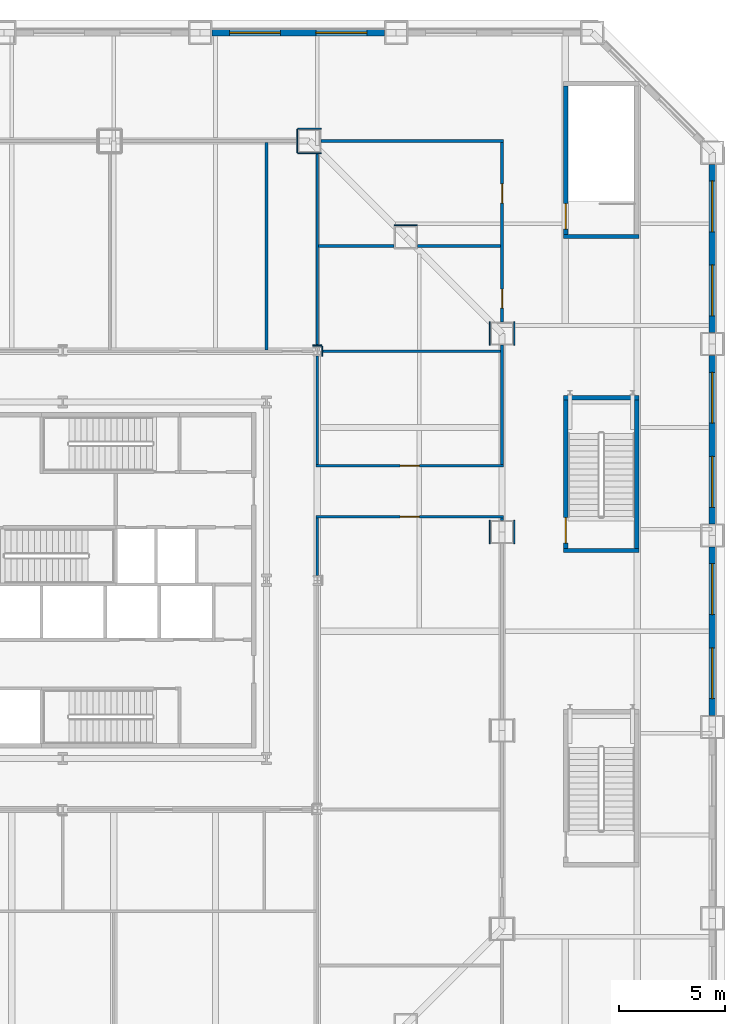
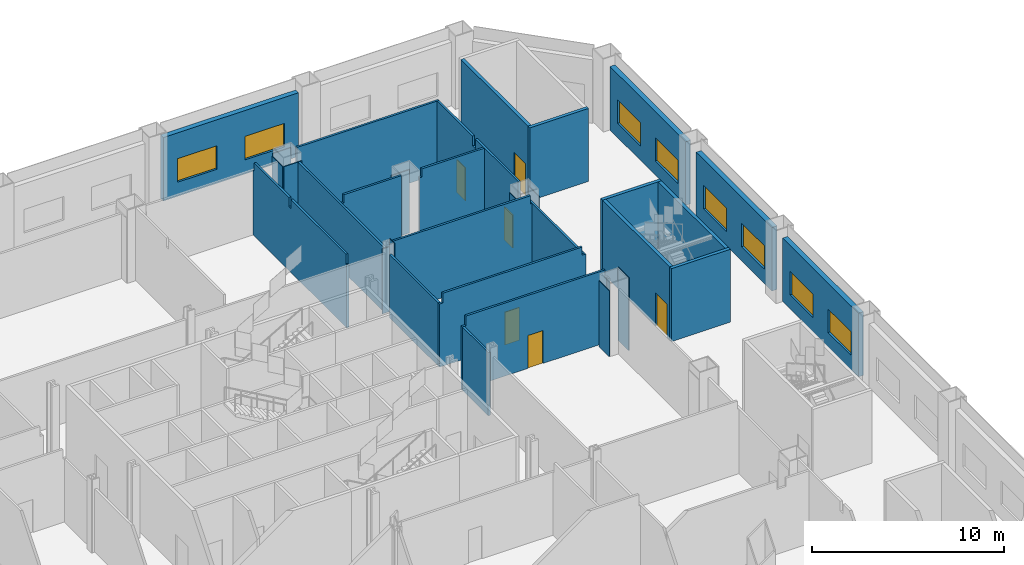
# One storey, part 15 of 22: 33 walls, 8 windows, 6 doors, 14 openings.
"""IFC4 building model written with IfcOpenShell, lengths in metres."""

from ifc_helpers import new_model, si_unit, direction, frame, frame_2d, origin, place, context, subcontext, project, spatial, polyline, rectangle, outline, extrude, material, layer, layer_set, type_object, element, fill, save


model = new_model("IFC4")

# Units and contexts
model_context = context("Model", 3, precision=1e-05, world=origin(), true_north=direction((0.0, 1.0)))
body_context = subcontext(model_context, "Body", "Model", "MODEL_VIEW")
ifc_project = project(units=[si_unit("LENGTHUNIT", "METRE"), si_unit("AREAUNIT", "SQUARE_METRE"), si_unit("VOLUMEUNIT", "CUBIC_METRE"), si_unit("PLANEANGLEUNIT", "RADIAN"), si_unit("MASSUNIT", "GRAM", prefix="KILO")], contexts=[model_context])

# Site, building, storey
site_placement = place(None, origin())
site = spatial("IfcSite", under=ifc_project, at=site_placement, CompositionType="ELEMENT")
building_placement = place(site_placement, origin())
building = spatial("IfcBuilding", under=site, at=building_placement, Name="Cairn Pilgrim Tower", CompositionType="ELEMENT")
storey_placement = place(building_placement, frame((0.0, 0.0, 35.39990234375)))
storey = spatial("IfcBuildingStorey", under=building, at=storey_placement, Name="L06", CompositionType="ELEMENT", Elevation=35.39990234375)

# Walls
ifc_material_1 = material(Name="Gypsum partition")
ifc_layer_1 = layer(ifc_material_1, 0.125)
ifc_layer_set_1 = layer_set([ifc_layer_1], Name="PARTITION 125 DRYWALL EI 60")
wall_type_1 = type_object("IfcWallType", Name="PARTITION 125 DRYWALL EI 60", PredefinedType="PARTITIONING", material=ifc_layer_set_1)
wall_1_placement = place(storey_placement, frame((19.199951171875, 2.636962890625, 0.0), z_axis=(0.0, 0.0, 1.0), x_axis=(0.0, 1.0, 0.0)))
element("IfcWall", 1, at=wall_1_placement, inside=storey, type_object=wall_type_1, Name="PARTITION W040", PredefinedType="PARTITIONING", context=body_context, shape_type="SweptSolid", body=[
    extrude(rectangle(XDim=2.700439453125, YDim=0.125, at=frame_2d((1.35009765625, 0.0))), origin(), (0.0, 0.0, 1.0), 4.030029296875),
])
wall_2_placement = place(storey_placement, frame((27.89990234375, 5.2255859375, 0.0), z_axis=(0.0, 0.0, 1.0), x_axis=(0.0, 1.0, 0.0)))
element("IfcWall", 2, at=wall_2_placement, inside=storey, type_object=wall_type_1, Name="PARTITION W044", PredefinedType="PARTITIONING", context=body_context, shape_type="SweptSolid", body=[
    extrude(rectangle(XDim=0.11181640625, YDim=0.125, at=frame_2d((0.055908203125, 0.0))), origin(), (0.0, 0.0, 1.0), 4.130126953125),
])

# Wall, opening, door
wall_3_placement = place(storey_placement, frame((19.137451171875, 5.39990234375, 0.0), z_axis=(0.0, 0.0, 1.0), x_axis=(1.0, 0.0, 0.0)))
wall_3 = element("IfcWall", 3, at=wall_3_placement, inside=storey, type_object=wall_type_1, Name="PARTITION W046", PredefinedType="PARTITIONING", context=body_context, shape_type="SweptSolid", body=[
    extrude(outline(polyline([(0.0, 0.0), (8.824951171875, 0.0), (8.824951171875, 4.130126953125), (8.612548828125, 4.130126953125), (8.610595703125, 4.650146484375), (0.21240234375, 4.650146484375), (0.21044921875, 4.030029296875), (0.0, 4.030029296875), (0.0, 0.0)])), frame((0.0, 0.0625, 0.0), z_axis=(0.0, -1.0, 0.0), x_axis=(1.0, 0.0, 0.0)), (0.0, 0.0, 1.0), 0.125),
])
opening_1_placement = place(wall_3_placement, frame((3.96240234375, 0.0, 0.0)))
opening_1 = element("IfcOpeningElement", 4, at=opening_1_placement, cuts=wall_3, Name="Opening 0618", PredefinedType="OPENING", context=body_context, shape_type="SweptSolid", body=[
    extrude(rectangle(XDim=0.89990234375, YDim=2.10009765625, at=frame_2d((0.449951171875, 1.050048828125))), frame((0.0, 0.072509765625, 0.0), z_axis=(0.0, -1.0, 0.0), x_axis=(1.0, 0.0, 0.0)), (0.0, 0.0, 1.0), 0.14501953125),
])
ifc_material_2 = material(Name="Timber door leaf", Category="wood")
door_type_1 = type_object("IfcDoorType", Name="ROOM DOOR 900x2100 FD30S", OperationType="NOTDEFINED", PredefinedType="DOOR", material=ifc_material_2)
door_1_placement = place(opening_1_placement, origin())
door_1 = element("IfcDoor", 5, at=door_1_placement, inside=storey, type_object=door_type_1, Name="DOOR 0618", OperationType="SINGLE_SWING_RIGHT", OverallHeight=2.10009765625, OverallWidth=0.89990234375, PredefinedType="DOOR", context=body_context, shape_type="SweptSolid", body=[
    extrude(rectangle(XDim=0.89990234375, YDim=2.10009765625, at=frame_2d((0.449951171875, 1.050048828125))), frame((0.0, 0.02490234375, 0.0), z_axis=(0.0, -1.0, 0.0), x_axis=(1.0, 0.0, 0.0)), (0.0, 0.0, 1.0), 0.050048828125),
])
fill(opening_1, door_1)

wall_4_placement = place(storey_placement, frame((19.137451171875, 7.800048828125, 0.0), z_axis=(0.0, 0.0, 1.0), x_axis=(1.0, 0.0, 0.0)))
wall_4 = element("IfcWall", 6, at=wall_4_placement, inside=storey, type_object=wall_type_1, Name="PARTITION W048", PredefinedType="PARTITIONING", context=body_context, shape_type="SweptSolid", body=[
    extrude(outline(polyline([(0.0, 0.0), (8.824951171875, 0.0), (8.824951171875, 4.130126953125), (8.612548828125, 4.130126953125), (8.610595703125, 4.650146484375), (0.21240234375, 4.650146484375), (0.21044921875, 4.030029296875), (0.0, 4.030029296875), (0.0, 0.0)])), frame((0.0, 0.0625, 0.0), z_axis=(0.0, -1.0, 0.0), x_axis=(1.0, 0.0, 0.0)), (0.0, 0.0, 1.0), 0.125),
])
opening_2_placement = place(wall_4_placement, frame((3.96240234375, 0.0, 0.0)))
opening_2 = element("IfcOpeningElement", 7, at=opening_2_placement, cuts=wall_4, Name="Opening 0617", PredefinedType="OPENING", context=body_context, shape_type="SweptSolid", body=[
    extrude(rectangle(XDim=0.89990234375, YDim=2.10009765625, at=frame_2d((0.449951171875, 1.050048828125))), frame((0.0, 0.072509765625, 0.0), z_axis=(0.0, -1.0, 0.0), x_axis=(1.0, 0.0, 0.0)), (0.0, 0.0, 1.0), 0.14501953125),
])
door_2_placement = place(opening_2_placement, frame((0.89990234375, 0.0, 0.0), z_axis=(0.0, 0.0, 1.0), x_axis=(-1.0, 0.0, 0.0)))
door_2 = element("IfcDoor", 8, at=door_2_placement, inside=storey, type_object=door_type_1, Name="DOOR 0617", OperationType="SINGLE_SWING_LEFT", OverallHeight=2.10009765625, OverallWidth=0.89990234375, PredefinedType="DOOR", context=body_context, shape_type="SweptSolid", body=[
    extrude(rectangle(XDim=0.89990234375, YDim=2.10009765625, at=frame_2d((0.449951171875, 1.050048828125))), frame((0.0, 0.02490234375, 0.0), z_axis=(0.0, -1.0, 0.0), x_axis=(1.0, 0.0, 0.0)), (0.0, 0.0, 1.0), 0.050048828125),
])
fill(opening_2, door_2)

# Walls
wall_5_placement = place(storey_placement, frame((19.199951171875, 7.862548828125, 0.0), z_axis=(0.0, 0.0, 1.0), x_axis=(0.0, 1.0, 0.0)))
element("IfcWall", 9, at=wall_5_placement, inside=storey, type_object=wall_type_1, Name="PARTITION W052", PredefinedType="PARTITIONING", context=body_context, shape_type="SweptSolid", body=[
    extrude(rectangle(XDim=5.100341796875, YDim=0.125, at=frame_2d((2.55029296875, 0.0))), origin(), (0.0, 0.0, 1.0), 4.030029296875),
])
wall_6_placement = place(storey_placement, frame((27.89990234375, 7.862548828125, 0.0), z_axis=(0.0, 0.0, 1.0), x_axis=(0.0, 1.0, 0.0)))
element("IfcWall", 10, at=wall_6_placement, inside=storey, type_object=wall_type_1, Name="PARTITION W053", PredefinedType="PARTITIONING", context=body_context, shape_type="SweptSolid", body=[
    extrude(rectangle(XDim=5.61474609375, YDim=0.125, at=frame_2d((2.807373046875, 0.0))), origin(), (0.0, 0.0, 1.0), 4.130126953125),
])
wall_7_placement = place(storey_placement, frame((19.412109375, 13.199951171875, 0.0), z_axis=(0.0, 0.0, 1.0), x_axis=(1.0, 0.0, 0.0)))
element("IfcWall", 11, at=wall_7_placement, inside=storey, type_object=wall_type_1, Name="PARTITION W058", PredefinedType="PARTITIONING", context=body_context, shape_type="SweptSolid", body=[
    extrude(outline(polyline([(0.0, 0.0), (8.42529296875, 0.0), (8.425537109375, 4.130126953125), (8.337890625, 4.130126953125), (8.3359375, 4.650146484375), (0.0, 4.650146484375), (0.0, 0.0)])), frame((0.0, 0.0625, 0.0), z_axis=(0.0, -1.0, 0.0), x_axis=(1.0, 0.0, 0.0)), (0.0, 0.0, 1.0), 0.125),
])
wall_8_placement = place(storey_placement, frame((16.800048828125, 13.262451171875, 0.0), z_axis=(0.0, 0.0, 1.0), x_axis=(0.0, 1.0, 0.0)))
element("IfcWall", 12, at=wall_8_placement, inside=storey, type_object=wall_type_1, Name="PARTITION W060", PredefinedType="PARTITIONING", context=body_context, shape_type="SweptSolid", body=[
    extrude(outline(polyline([(0.0, 0.0), (9.775146484375, 0.0), (9.77490234375, 4.130126953125), (9.6875, 4.130126953125), (9.685546875, 4.650146484375), (6.04248046875, 4.650146484375), (6.04052734375, 4.080078125), (5.83251953125, 4.080078125), (5.83056640625, 4.650146484375), (0.08740234375, 4.650146484375), (0.08544921875, 4.030029296875), (0.0, 4.030029296875), (0.0, 0.0)])), frame((0.0, 0.0625, 0.0), z_axis=(0.0, -1.0, 0.0), x_axis=(1.0, 0.0, 0.0)), (0.0, 0.0, 1.0), 0.125),
])
wall_9_placement = place(storey_placement, frame((19.199951171875, 13.43701171875, 0.0), z_axis=(0.0, 0.0, 1.0), x_axis=(0.0, 1.0, 0.0)))
element("IfcWall", 13, at=wall_9_placement, inside=storey, type_object=wall_type_1, Name="PARTITION W062", PredefinedType="PARTITIONING", context=body_context, shape_type="SweptSolid", body=[
    extrude(rectangle(XDim=9.113037109375, YDim=0.125, at=frame_2d((4.556640625, 0.0))), origin(), (0.0, 0.0, 1.0), 4.130126953125),
])

# Wall, openings, doors
wall_10_placement = place(storey_placement, frame((27.89990234375, 14.5771484375, 0.0), z_axis=(0.0, 0.0, 1.0), x_axis=(0.0, 1.0, 0.0)))
wall_10 = element("IfcWall", 14, at=wall_10_placement, inside=storey, type_object=wall_type_1, Name="PARTITION W063", PredefinedType="PARTITIONING", context=body_context, shape_type="SweptSolid", body=[
    extrude(outline(polyline([(0.0, 0.0), (8.46044921875, 0.0), (8.460205078125, 4.650146484375), (4.772705078125, 4.650146484375), (4.770751953125, 4.030029296875), (4.472900390625, 4.030029296875), (4.470703125, 4.650146484375), (0.0, 4.650146484375), (0.0, 0.0)])), frame((0.0, 0.0625, 0.0), z_axis=(0.0, -1.0, 0.0), x_axis=(1.0, 0.0, 0.0)), (0.0, 0.0, 1.0), 0.125),
])
opening_3_placement = place(wall_10_placement, frame((0.647705078125, 0.0, 0.0)))
opening_3 = element("IfcOpeningElement", 15, at=opening_3_placement, cuts=wall_10, Name="Opening 0619", PredefinedType="OPENING", context=body_context, shape_type="SweptSolid", body=[
    extrude(rectangle(XDim=0.89990234375, YDim=2.10009765625, at=frame_2d((0.449951171875, 1.050048828125))), frame((0.0, 0.072509765625, 0.0), z_axis=(0.0, -1.0, 0.0), x_axis=(1.0, 0.0, 0.0)), (0.0, 0.0, 1.0), 0.14501953125),
])
opening_4_placement = place(wall_10_placement, frame((5.597900390625, 0.0, 0.0)))
opening_4 = element("IfcOpeningElement", 16, at=opening_4_placement, cuts=wall_10, Name="Opening 0620", PredefinedType="OPENING", context=body_context, shape_type="SweptSolid", body=[
    extrude(rectangle(XDim=0.89990234375, YDim=2.10009765625, at=frame_2d((0.449951171875, 1.050048828125))), frame((0.0, 0.072509765625, 0.0), z_axis=(0.0, -1.0, 0.0), x_axis=(1.0, 0.0, 0.0)), (0.0, 0.0, 1.0), 0.14501953125),
])
door_3_placement = place(opening_3_placement, frame((0.89990234375, 0.0, 0.0), z_axis=(0.0, 0.0, 1.0), x_axis=(-1.0, 0.0, 0.0)))
door_3 = element("IfcDoor", 17, at=door_3_placement, inside=storey, type_object=door_type_1, Name="DOOR 0619", OperationType="SINGLE_SWING_LEFT", OverallHeight=2.10009765625, OverallWidth=0.89990234375, PredefinedType="DOOR", context=body_context, shape_type="SweptSolid", body=[
    extrude(rectangle(XDim=0.89990234375, YDim=2.10009765625, at=frame_2d((0.449951171875, 1.050048828125))), frame((0.0, 0.02490234375, 0.0), z_axis=(0.0, -1.0, 0.0), x_axis=(1.0, 0.0, 0.0)), (0.0, 0.0, 1.0), 0.050048828125),
])
fill(opening_3, door_3)
door_4_placement = place(opening_4_placement, frame((0.89990234375, 0.0, 0.0), z_axis=(0.0, 0.0, 1.0), x_axis=(-1.0, 0.0, 0.0)))
door_4 = element("IfcDoor", 18, at=door_4_placement, inside=storey, type_object=door_type_1, Name="DOOR 0620", OperationType="SINGLE_SWING_RIGHT", OverallHeight=2.10009765625, OverallWidth=0.89990234375, PredefinedType="DOOR", context=body_context, shape_type="SweptSolid", body=[
    extrude(rectangle(XDim=0.89990234375, YDim=2.10009765625, at=frame_2d((0.449951171875, 1.050048828125))), frame((0.0, 0.02490234375, 0.0), z_axis=(0.0, -1.0, 0.0), x_axis=(1.0, 0.0, 0.0)), (0.0, 0.0, 1.0), 0.050048828125),
])
fill(opening_4, door_4)

# Walls
wall_11_placement = place(storey_placement, frame((19.262451171875, 18.14990234375, 0.0), z_axis=(0.0, 0.0, 1.0), x_axis=(1.0, 0.0, 0.0)))
element("IfcWall", 19, at=wall_11_placement, inside=storey, type_object=wall_type_1, Name="PARTITION W064", PredefinedType="PARTITIONING", context=body_context, shape_type="SweptSolid", body=[
    extrude(outline(polyline([(0.0, 0.0), (3.55126953125, 0.0), (3.551025390625, 4.650146484375), (0.08740234375, 4.650146484375), (0.08544921875, 4.130126953125), (0.0, 4.130126953125), (0.0, 0.0)])), frame((0.0, 0.0625, 0.0), z_axis=(0.0, -1.0, 0.0), x_axis=(1.0, 0.0, 0.0)), (0.0, 0.0, 1.0), 0.125),
])
wall_12_placement = place(storey_placement, frame((23.91357421875, 18.14990234375, 0.0), z_axis=(0.0, 0.0, 1.0), x_axis=(1.0, 0.0, 0.0)))
element("IfcWall", 20, at=wall_12_placement, inside=storey, type_object=wall_type_1, Name="PARTITION W065", PredefinedType="PARTITIONING", context=body_context, shape_type="SweptSolid", body=[
    extrude(outline(polyline([(0.0, 0.0), (3.923828125, 0.0), (3.923828125, 4.650146484375), (0.13818359375, 4.650146484375), (0.13623046875, 4.130126953125), (0.0, 4.130126953125), (0.0, 0.0)])), frame((0.0, 0.0625, 0.0), z_axis=(0.0, -1.0, 0.0), x_axis=(1.0, 0.0, 0.0)), (0.0, 0.0, 1.0), 0.125),
])
wall_13_placement = place(storey_placement, frame((19.377197265625, 23.10009765625, 0.0), z_axis=(0.0, 0.0, 1.0), x_axis=(1.0, 0.0, 0.0)))
element("IfcWall", 21, at=wall_13_placement, inside=storey, type_object=wall_type_1, Name="PARTITION W075", PredefinedType="PARTITIONING", context=body_context, shape_type="SweptSolid", body=[
    extrude(rectangle(XDim=8.585205078125, YDim=0.125, at=frame_2d((4.29248046875, 0.0))), origin(), (0.0, 0.0, 1.0), 4.650146484375),
])
ifc_layer_2 = layer(ifc_material_1, 0.050048828125)
ifc_layer_set_2 = layer_set([ifc_layer_2], Name="PARTITION 50 DRYWALL EI 60")
wall_type_2 = type_object("IfcWallType", Name="PARTITION 50 DRYWALL EI 60", PredefinedType="PARTITIONING", material=ifc_layer_set_2)
wall_14_placement = place(storey_placement, frame((27.324951171875, 4.125732421875, 0.0), z_axis=(0.0, 0.0, 1.0), x_axis=(0.0, 1.0, 0.0)))
element("IfcWall", 22, at=wall_14_placement, inside=storey, type_object=wall_type_2, Name="COLUMN CASING WC20", PredefinedType="PARTITIONING", context=body_context, shape_type="SweptSolid", body=[
    extrude(rectangle(XDim=1.099853515625, YDim=0.050048828125, at=frame_2d((0.5498046875, 0.0))), origin(), (0.0, 0.0, 1.0), 4.18017578125),
])
wall_15_placement = place(storey_placement, frame((28.47509765625, 4.125732421875, 0.0), z_axis=(0.0, 0.0, 1.0), x_axis=(0.0, 1.0, 0.0)))
element("IfcWall", 23, at=wall_15_placement, inside=storey, type_object=wall_type_2, Name="COLUMN CASING WC21", PredefinedType="PARTITIONING", context=body_context, shape_type="SweptSolid", body=[
    extrude(rectangle(XDim=1.099853515625, YDim=0.050048828125, at=frame_2d((0.5498046875, 0.0))), origin(), (0.0, 0.0, 1.0), 4.650146484375),
])
wall_16_placement = place(storey_placement, frame((19.43701171875, 12.962890625, 0.0), z_axis=(0.0, 0.0, 1.0), x_axis=(0.0, 1.0, 0.0)))
element("IfcWall", 24, at=wall_16_placement, inside=storey, type_object=wall_type_2, Name="COLUMN CASING WC31", PredefinedType="PARTITIONING", context=body_context, shape_type="SweptSolid", body=[
    extrude(rectangle(XDim=0.47412109375, YDim=0.050048828125, at=frame_2d((0.237060546875, 0.0))), origin(), (0.0, 0.0, 1.0), 4.650146484375),
])
for number, where, z_axis, x_axis, name in (
    (25, (27.324951171875, 13.477294921875, 0.0), (0.0, 0.0, 1.0), (0.0, 1.0, 0.0), "COLUMN CASING WC32"),
    (26, (28.47509765625, 13.477294921875, 0.0), (0.0, 0.0, 1.0), (0.0, 1.0, 0.0), "COLUMN CASING WC33"),
):
    element("IfcWall", number, at=place(storey_placement, frame(where, z_axis=z_axis, x_axis=x_axis)), inside=storey, type_object=wall_type_2, Name=name, PredefinedType="PARTITIONING", context=body_context, shape_type="SweptSolid", body=[
        extrude(rectangle(XDim=1.099853515625, YDim=0.050048828125, at=frame_2d((0.5498046875, 0.0))), origin(), (0.0, 0.0, 1.0), 4.130126953125),
    ])
wall_17_placement = place(storey_placement, frame((18.988037109375, 13.4619140625, 0.0), z_axis=(0.0, 0.0, 1.0), x_axis=(1.0, 0.0, 0.0)))
element("IfcWall", 27, at=wall_17_placement, inside=storey, type_object=wall_type_2, Name="COLUMN CASING WC36", PredefinedType="PARTITIONING", context=body_context, shape_type="SweptSolid", body=[
    extrude(rectangle(XDim=0.424072265625, YDim=0.050048828125, at=frame_2d((0.2119140625, 0.0))), origin(), (0.0, 0.0, 1.0), 4.130126953125),
])
wall_18_placement = place(storey_placement, frame((18.252197265625, 22.550048828125, 0.0), z_axis=(0.0, 0.0, 1.0), x_axis=(0.0, 1.0, 0.0)))
element("IfcWall", 28, at=wall_18_placement, inside=storey, type_object=wall_type_2, Name="COLUMN CASING WC39", PredefinedType="PARTITIONING", context=body_context, shape_type="SweptSolid", body=[
    extrude(rectangle(XDim=1.099853515625, YDim=0.050048828125, at=frame_2d((0.5498046875, 0.0))), origin(), (0.0, 0.0, 1.0), 4.130126953125),
])
wall_19_placement = place(storey_placement, frame((22.813720703125, 19.138671875, 0.0), z_axis=(0.0, 0.0, 1.0), x_axis=(1.0, 0.0, 0.0)))
element("IfcWall", 29, at=wall_19_placement, inside=storey, type_object=wall_type_2, Name="COLUMN CASING WC40", PredefinedType="PARTITIONING", context=body_context, shape_type="SweptSolid", body=[
    extrude(rectangle(XDim=1.099853515625, YDim=0.050048828125, at=frame_2d((0.5498046875, 0.0))), origin(), (0.0, 0.0, 1.0), 4.030029296875),
])
wall_20_placement = place(storey_placement, frame((18.277099609375, 22.52490234375, 0.0), z_axis=(0.0, 0.0, 1.0), x_axis=(1.0, 0.0, 0.0)))
element("IfcWall", 30, at=wall_20_placement, inside=storey, type_object=wall_type_2, Name="COLUMN CASING WC49", PredefinedType="PARTITIONING", context=body_context, shape_type="SweptSolid", body=[
    extrude(rectangle(XDim=1.10009765625, YDim=0.050048828125, at=frame_2d((0.550048828125, 0.0))), origin(), (0.0, 0.0, 1.0), 4.130126953125),
])
wall_21_placement = place(storey_placement, frame((18.277099609375, 23.675048828125, 0.0), z_axis=(0.0, 0.0, 1.0), x_axis=(1.0, 0.0, 0.0)))
element("IfcWall", 31, at=wall_21_placement, inside=storey, type_object=wall_type_2, Name="COLUMN CASING WC50", PredefinedType="PARTITIONING", context=body_context, shape_type="SweptSolid", body=[
    extrude(rectangle(XDim=1.10009765625, YDim=0.050048828125, at=frame_2d((0.550048828125, 0.0))), origin(), (0.0, 0.0, 1.0), 4.27001953125),
])
ifc_material_3 = material(Name="Concrete C35/45", Category="concrete")
ifc_layer_3 = layer(ifc_material_3, 0.199951171875)
ifc_layer_set_3 = layer_set([ifc_layer_3], Name="PODIUM STAIR WALL 200 EI 120")
wall_type_3 = type_object("IfcWallType", Name="PODIUM STAIR WALL 200 EI 120", PredefinedType="SOLIDWALL", material=ifc_layer_set_3)
wall_22_placement = place(storey_placement, frame((30.800048828125, 3.800048828125, 0.0), z_axis=(0.0, 0.0, 1.0), x_axis=(1.0, 0.0, 0.0)))
element("IfcWall", 32, at=wall_22_placement, inside=storey, type_object=wall_type_3, Name="STAIR SHAFT WALL W041", PredefinedType="SOLIDWALL", context=body_context, shape_type="SweptSolid", body=[
    extrude(rectangle(XDim=3.550048828125, YDim=0.199951171875, at=frame_2d((1.77490234375, 0.0))), origin(), (0.0, 0.0, 1.0), 4.650146484375),
])

# Wall, opening, door
wall_23_placement = place(storey_placement, frame((30.89990234375, 3.89990234375, 0.0), z_axis=(0.0, 0.0, 1.0), x_axis=(0.0, 1.0, 0.0)))
wall_23 = element("IfcWall", 33, at=wall_23_placement, inside=storey, type_object=wall_type_3, Name="STAIR SHAFT WALL W042", PredefinedType="SOLIDWALL", context=body_context, shape_type="SweptSolid", body=[
    extrude(rectangle(XDim=7.0, YDim=0.199951171875, at=frame_2d((3.5, 0.0))), origin(), (0.0, 0.0, 1.0), 4.650146484375),
])
opening_5_placement = place(wall_23_placement, frame((0.25, 0.0, 0.0)))
opening_5 = element("IfcOpeningElement", 34, at=opening_5_placement, cuts=wall_23, Name="Opening 0629", PredefinedType="OPENING", context=body_context, shape_type="SweptSolid", body=[
    extrude(rectangle(XDim=1.199951171875, YDim=2.10009765625, at=frame_2d((0.60009765625, 1.050048828125))), frame((0.0, 0.10986328125, 0.0), z_axis=(0.0, -1.0, 0.0), x_axis=(1.0, 0.0, 0.0)), (0.0, 0.0, 1.0), 0.219970703125),
])
ifc_material_4 = material(Name="Steel-faced fire door leaf", Category="steel")
door_type_2 = type_object("IfcDoorType", Name="FIRE DOOR 1200x2100 FD60S", OperationType="NOTDEFINED", PredefinedType="DOOR", material=ifc_material_4)
door_5_placement = place(opening_5_placement, frame((1.199951171875, 0.0, 0.0), z_axis=(0.0, 0.0, 1.0), x_axis=(-1.0, 0.0, 0.0)))
door_5 = element("IfcDoor", 35, at=door_5_placement, inside=storey, type_object=door_type_2, Name="DOOR 0629", OperationType="SINGLE_SWING_RIGHT", OverallHeight=2.10009765625, OverallWidth=1.199951171875, PredefinedType="DOOR", context=body_context, shape_type="SweptSolid", body=[
    extrude(rectangle(XDim=1.199951171875, YDim=2.10009765625, at=frame_2d((0.60009765625, 1.050048828125))), frame((0.0, 0.02490234375, 0.0), z_axis=(0.0, -1.0, 0.0), x_axis=(1.0, 0.0, 0.0)), (0.0, 0.0, 1.0), 0.050048828125),
])
fill(opening_5, door_5)

# Walls
wall_24_placement = place(storey_placement, frame((34.25, 3.89990234375, 0.0), z_axis=(0.0, 0.0, 1.0), x_axis=(0.0, 1.0, 0.0)))
element("IfcWall", 36, at=wall_24_placement, inside=storey, type_object=wall_type_3, Name="STAIR SHAFT WALL W043", PredefinedType="SOLIDWALL", context=body_context, shape_type="SweptSolid", body=[
    extrude(rectangle(XDim=7.0, YDim=0.199951171875, at=frame_2d((3.5, 0.0))), origin(), (0.0, 0.0, 1.0), 4.650146484375),
])
for number, where, z_axis, x_axis, name in (
    (37, (30.800048828125, 11.0, 0.0), (0.0, 0.0, 1.0), (1.0, 0.0, 0.0), "STAIR SHAFT WALL W055"),
    (38, (30.800048828125, 18.60009765625, 0.0), (0.0, 0.0, 1.0), (1.0, 0.0, 0.0), "STAIR SHAFT WALL W066"),
):
    element("IfcWall", number, at=place(storey_placement, frame(where, z_axis=z_axis, x_axis=x_axis)), inside=storey, type_object=wall_type_3, Name=name, PredefinedType="SOLIDWALL", context=body_context, shape_type="SweptSolid", body=[
        extrude(rectangle(XDim=3.550048828125, YDim=0.199951171875, at=frame_2d((1.77490234375, 0.0))), origin(), (0.0, 0.0, 1.0), 4.650146484375),
    ])

# Wall, opening, door
wall_25_placement = place(storey_placement, frame((30.89990234375, 18.699951171875, 0.0), z_axis=(0.0, 0.0, 1.0), x_axis=(0.0, 1.0, 0.0)))
wall_25 = element("IfcWall", 39, at=wall_25_placement, inside=storey, type_object=wall_type_3, Name="STAIR SHAFT WALL W067", PredefinedType="SOLIDWALL", context=body_context, shape_type="SweptSolid", body=[
    extrude(rectangle(XDim=7.0, YDim=0.199951171875, at=frame_2d((3.5, 0.0))), origin(), (0.0, 0.0, 1.0), 4.650146484375),
])
opening_6_placement = place(wall_25_placement, frame((0.25, 0.0, 0.0)))
opening_6 = element("IfcOpeningElement", 40, at=opening_6_placement, cuts=wall_25, Name="Opening 0630", PredefinedType="OPENING", context=body_context, shape_type="SweptSolid", body=[
    extrude(rectangle(XDim=1.199951171875, YDim=2.10009765625, at=frame_2d((0.60009765625, 1.050048828125))), frame((0.0, 0.10986328125, 0.0), z_axis=(0.0, -1.0, 0.0), x_axis=(1.0, 0.0, 0.0)), (0.0, 0.0, 1.0), 0.219970703125),
])
door_6_placement = place(opening_6_placement, frame((1.199951171875, 0.0, 0.0), z_axis=(0.0, 0.0, 1.0), x_axis=(-1.0, 0.0, 0.0)))
door_6 = element("IfcDoor", 41, at=door_6_placement, inside=storey, type_object=door_type_2, Name="DOOR 0630", OperationType="SINGLE_SWING_LEFT", OverallHeight=2.10009765625, OverallWidth=1.199951171875, PredefinedType="DOOR", context=body_context, shape_type="SweptSolid", body=[
    extrude(rectangle(XDim=1.199951171875, YDim=2.10009765625, at=frame_2d((0.60009765625, 1.050048828125))), frame((0.0, 0.02490234375, 0.0), z_axis=(0.0, -1.0, 0.0), x_axis=(1.0, 0.0, 0.0)), (0.0, 0.0, 1.0), 0.050048828125),
])
fill(opening_6, door_6)

# Wall, openings, windows
ifc_material_5 = material(Name="Concrete C35/45 backup wall with bronze aluminium cladding", Category="concrete")
ifc_layer_4 = layer(ifc_material_5, 0.300048828125)
ifc_layer_set_4 = layer_set([ifc_layer_4], Name="PODIUM WALL 300 BRONZE-CLAD")
wall_type_4 = type_object("IfcWallType", Name="PODIUM WALL 300 BRONZE-CLAD", PredefinedType="SOLIDWALL", material=ifc_layer_set_4)
wall_26_placement = place(storey_placement, frame((37.800048828125, -3.960205078125, 0.0), z_axis=(0.0, 0.0, 1.0), x_axis=(0.0, 1.0, 0.0)))
wall_26 = element("IfcWall", 42, at=wall_26_placement, inside=storey, type_object=wall_type_4, Name="PODIUM EXTERNAL WALL E3-E4", PredefinedType="SOLIDWALL", context=body_context, shape_type="SweptSolid", body=[
    extrude(rectangle(XDim=7.92041015625, YDim=0.300048828125, at=frame_2d((3.960205078125, 0.0))), origin(), (0.0, 0.0, 1.0), 4.050048828125),
])
opening_7_placement = place(wall_26_placement, frame((0.780029296875, 0.0, 0.89990234375)))
opening_7 = element("IfcOpeningElement", 43, at=opening_7_placement, cuts=wall_26, Name="Opening PW15", PredefinedType="OPENING", context=body_context, shape_type="SweptSolid", body=[
    extrude(rectangle(XDim=2.39990234375, YDim=1.5, at=frame_2d((1.199951171875, 0.75))), frame((0.0, 0.16015625, 0.0), z_axis=(0.0, -1.0, 0.0), x_axis=(1.0, 0.0, 0.0)), (0.0, 0.0, 1.0), 0.320068359375),
])
opening_8_placement = place(wall_26_placement, frame((4.740478515625, 0.0, 0.89990234375)))
opening_8 = element("IfcOpeningElement", 44, at=opening_8_placement, cuts=wall_26, Name="Opening PW15", PredefinedType="OPENING", context=body_context, shape_type="SweptSolid", body=[
    extrude(rectangle(XDim=2.39990234375, YDim=1.5, at=frame_2d((1.199951171875, 0.75))), frame((0.0, 0.16015625, 0.0), z_axis=(0.0, -1.0, 0.0), x_axis=(1.0, 0.0, 0.0)), (0.0, 0.0, 1.0), 0.320068359375),
])
ifc_material_6 = material(Name="Bronze anodised aluminium frame with tinted low-E glass", Category="aluminium")
window_type = type_object("IfcWindowType", Name="PODIUM FIXED WINDOW 2400x1500", PartitioningType="SINGLE_PANEL", PredefinedType="WINDOW", material=ifc_material_6)
window_1_placement = place(opening_7_placement, origin())
window_1 = element("IfcWindow", 45, at=window_1_placement, inside=storey, type_object=window_type, Name="PODIUM WINDOW", OverallHeight=1.5, OverallWidth=2.39990234375, PartitioningType="SINGLE_PANEL", PredefinedType="WINDOW", context=body_context, shape_type="SweptSolid", body=[
    extrude(rectangle(XDim=2.39990234375, YDim=1.5, at=frame_2d((1.199951171875, 0.75))), frame((0.0, 0.030029296875, 0.0), z_axis=(0.0, -1.0, 0.0), x_axis=(1.0, 0.0, 0.0)), (0.0, 0.0, 1.0), 0.06005859375),
])
fill(opening_7, window_1)
window_2_placement = place(opening_8_placement, origin())
window_2 = element("IfcWindow", 46, at=window_2_placement, inside=storey, type_object=window_type, Name="PODIUM WINDOW", OverallHeight=1.5, OverallWidth=2.39990234375, PartitioningType="SINGLE_PANEL", PredefinedType="WINDOW", context=body_context, shape_type="SweptSolid", body=[
    extrude(rectangle(XDim=2.39990234375, YDim=1.5, at=frame_2d((1.199951171875, 0.75))), frame((0.0, 0.030029296875, 0.0), z_axis=(0.0, -1.0, 0.0), x_axis=(1.0, 0.0, 0.0)), (0.0, 0.0, 1.0), 0.06005859375),
])
fill(opening_8, window_2)

wall_27_placement = place(storey_placement, frame((37.800048828125, 5.060302734375, 0.0), z_axis=(0.0, 0.0, 1.0), x_axis=(0.0, 1.0, 0.0)))
wall_27 = element("IfcWall", 47, at=wall_27_placement, inside=storey, type_object=wall_type_4, Name="PODIUM EXTERNAL WALL E4-E5", PredefinedType="SOLIDWALL", context=body_context, shape_type="SweptSolid", body=[
    extrude(rectangle(XDim=7.920654296875, YDim=0.300048828125, at=frame_2d((3.96044921875, 0.0))), origin(), (0.0, 0.0, 1.0), 4.050048828125),
])
opening_9_placement = place(wall_27_placement, frame((0.780029296875, 0.0, 0.89990234375)))
opening_9 = element("IfcOpeningElement", 48, at=opening_9_placement, cuts=wall_27, Name="Opening PW15", PredefinedType="OPENING", context=body_context, shape_type="SweptSolid", body=[
    extrude(rectangle(XDim=2.39990234375, YDim=1.5, at=frame_2d((1.199951171875, 0.75))), frame((0.0, 0.16015625, 0.0), z_axis=(0.0, -1.0, 0.0), x_axis=(1.0, 0.0, 0.0)), (0.0, 0.0, 1.0), 0.320068359375),
])
opening_10_placement = place(wall_27_placement, frame((4.740478515625, 0.0, 0.89990234375)))
opening_10 = element("IfcOpeningElement", 49, at=opening_10_placement, cuts=wall_27, Name="Opening PW15", PredefinedType="OPENING", context=body_context, shape_type="SweptSolid", body=[
    extrude(rectangle(XDim=2.39990234375, YDim=1.5, at=frame_2d((1.199951171875, 0.75))), frame((0.0, 0.16015625, 0.0), z_axis=(0.0, -1.0, 0.0), x_axis=(1.0, 0.0, 0.0)), (0.0, 0.0, 1.0), 0.320068359375),
])
window_3_placement = place(opening_9_placement, origin())
window_3 = element("IfcWindow", 50, at=window_3_placement, inside=storey, type_object=window_type, Name="PODIUM WINDOW", OverallHeight=1.5, OverallWidth=2.39990234375, PartitioningType="SINGLE_PANEL", PredefinedType="WINDOW", context=body_context, shape_type="SweptSolid", body=[
    extrude(rectangle(XDim=2.39990234375, YDim=1.5, at=frame_2d((1.199951171875, 0.75))), frame((0.0, 0.030029296875, 0.0), z_axis=(0.0, -1.0, 0.0), x_axis=(1.0, 0.0, 0.0)), (0.0, 0.0, 1.0), 0.06005859375),
])
fill(opening_9, window_3)
window_4_placement = place(opening_10_placement, origin())
window_4 = element("IfcWindow", 51, at=window_4_placement, inside=storey, type_object=window_type, Name="PODIUM WINDOW", OverallHeight=1.5, OverallWidth=2.39990234375, PartitioningType="SINGLE_PANEL", PredefinedType="WINDOW", context=body_context, shape_type="SweptSolid", body=[
    extrude(rectangle(XDim=2.39990234375, YDim=1.5, at=frame_2d((1.199951171875, 0.75))), frame((0.0, 0.030029296875, 0.0), z_axis=(0.0, -1.0, 0.0), x_axis=(1.0, 0.0, 0.0)), (0.0, 0.0, 1.0), 0.06005859375),
])
fill(opening_10, window_4)

wall_28_placement = place(storey_placement, frame((37.800048828125, 14.080810546875, 0.0), z_axis=(0.0, 0.0, 1.0), x_axis=(0.0, 1.0, 0.0)))
wall_28 = element("IfcWall", 52, at=wall_28_placement, inside=storey, type_object=wall_type_4, Name="PODIUM EXTERNAL WALL E5-NE1", PredefinedType="SOLIDWALL", context=body_context, shape_type="SweptSolid", body=[
    extrude(rectangle(XDim=7.920654296875, YDim=0.300048828125, at=frame_2d((3.96044921875, 0.0))), origin(), (0.0, 0.0, 1.0), 4.050048828125),
])
opening_11_placement = place(wall_28_placement, frame((0.780029296875, 0.0, 0.89990234375)))
opening_11 = element("IfcOpeningElement", 53, at=opening_11_placement, cuts=wall_28, Name="Opening PW15", PredefinedType="OPENING", context=body_context, shape_type="SweptSolid", body=[
    extrude(rectangle(XDim=2.39990234375, YDim=1.5, at=frame_2d((1.199951171875, 0.75))), frame((0.0, 0.16015625, 0.0), z_axis=(0.0, -1.0, 0.0), x_axis=(1.0, 0.0, 0.0)), (0.0, 0.0, 1.0), 0.320068359375),
])
opening_12_placement = place(wall_28_placement, frame((4.740478515625, 0.0, 0.89990234375)))
opening_12 = element("IfcOpeningElement", 54, at=opening_12_placement, cuts=wall_28, Name="Opening PW15", PredefinedType="OPENING", context=body_context, shape_type="SweptSolid", body=[
    extrude(rectangle(XDim=2.39990234375, YDim=1.5, at=frame_2d((1.199951171875, 0.75))), frame((0.0, 0.16015625, 0.0), z_axis=(0.0, -1.0, 0.0), x_axis=(1.0, 0.0, 0.0)), (0.0, 0.0, 1.0), 0.320068359375),
])
window_5_placement = place(opening_11_placement, origin())
window_5 = element("IfcWindow", 55, at=window_5_placement, inside=storey, type_object=window_type, Name="PODIUM WINDOW", OverallHeight=1.5, OverallWidth=2.39990234375, PartitioningType="SINGLE_PANEL", PredefinedType="WINDOW", context=body_context, shape_type="SweptSolid", body=[
    extrude(rectangle(XDim=2.39990234375, YDim=1.5, at=frame_2d((1.199951171875, 0.75))), frame((0.0, 0.030029296875, 0.0), z_axis=(0.0, -1.0, 0.0), x_axis=(1.0, 0.0, 0.0)), (0.0, 0.0, 1.0), 0.06005859375),
])
fill(opening_11, window_5)
window_6_placement = place(opening_12_placement, origin())
window_6 = element("IfcWindow", 56, at=window_6_placement, inside=storey, type_object=window_type, Name="PODIUM WINDOW", OverallHeight=1.5, OverallWidth=2.39990234375, PartitioningType="SINGLE_PANEL", PredefinedType="WINDOW", context=body_context, shape_type="SweptSolid", body=[
    extrude(rectangle(XDim=2.39990234375, YDim=1.5, at=frame_2d((1.199951171875, 0.75))), frame((0.0, 0.030029296875, 0.0), z_axis=(0.0, -1.0, 0.0), x_axis=(1.0, 0.0, 0.0)), (0.0, 0.0, 1.0), 0.06005859375),
])
fill(opening_12, window_6)

wall_29_placement = place(storey_placement, frame((22.363525390625, 28.199951171875, 0.0), z_axis=(0.0, 0.0, 1.0), x_axis=(-1.0, 0.0, 0.0)))
wall_29 = element("IfcWall", 57, at=wall_29_placement, inside=storey, type_object=wall_type_4, Name="PODIUM EXTERNAL WALL N2-N3", PredefinedType="SOLIDWALL", context=body_context, shape_type="SweptSolid", body=[
    extrude(rectangle(XDim=8.137939453125, YDim=0.300048828125, at=frame_2d((4.06884765625, 0.0))), origin(), (0.0, 0.0, 1.0), 4.050048828125),
])
opening_13_placement = place(wall_29_placement, frame((0.83447265625, 0.0, 0.89990234375)))
opening_13 = element("IfcOpeningElement", 58, at=opening_13_placement, cuts=wall_29, Name="Opening PW15", PredefinedType="OPENING", context=body_context, shape_type="SweptSolid", body=[
    extrude(rectangle(XDim=2.39990234375, YDim=1.5, at=frame_2d((1.199951171875, 0.75))), frame((0.0, 0.16015625, 0.0), z_axis=(0.0, -1.0, 0.0), x_axis=(1.0, 0.0, 0.0)), (0.0, 0.0, 1.0), 0.320068359375),
])
opening_14_placement = place(wall_29_placement, frame((4.9033203125, 0.0, 0.89990234375)))
opening_14 = element("IfcOpeningElement", 59, at=opening_14_placement, cuts=wall_29, Name="Opening PW15", PredefinedType="OPENING", context=body_context, shape_type="SweptSolid", body=[
    extrude(rectangle(XDim=2.39990234375, YDim=1.5, at=frame_2d((1.199951171875, 0.75))), frame((0.0, 0.16015625, 0.0), z_axis=(0.0, -1.0, 0.0), x_axis=(1.0, 0.0, 0.0)), (0.0, 0.0, 1.0), 0.320068359375),
])
window_7_placement = place(opening_13_placement, origin())
window_7 = element("IfcWindow", 60, at=window_7_placement, inside=storey, type_object=window_type, Name="PODIUM WINDOW", OverallHeight=1.5, OverallWidth=2.39990234375, PartitioningType="SINGLE_PANEL", PredefinedType="WINDOW", context=body_context, shape_type="SweptSolid", body=[
    extrude(rectangle(XDim=2.39990234375, YDim=1.5, at=frame_2d((1.199951171875, 0.75))), frame((0.0, 0.030029296875, 0.0), z_axis=(0.0, -1.0, 0.0), x_axis=(1.0, 0.0, 0.0)), (0.0, 0.0, 1.0), 0.06005859375),
])
fill(opening_13, window_7)
window_8_placement = place(opening_14_placement, origin())
window_8 = element("IfcWindow", 61, at=window_8_placement, inside=storey, type_object=window_type, Name="PODIUM WINDOW", OverallHeight=1.5, OverallWidth=2.39990234375, PartitioningType="SINGLE_PANEL", PredefinedType="WINDOW", context=body_context, shape_type="SweptSolid", body=[
    extrude(rectangle(XDim=2.39990234375, YDim=1.5, at=frame_2d((1.199951171875, 0.75))), frame((0.0, 0.030029296875, 0.0), z_axis=(0.0, -1.0, 0.0), x_axis=(1.0, 0.0, 0.0)), (0.0, 0.0, 1.0), 0.06005859375),
])
fill(opening_14, window_8)

save(model, "model.ifc")
